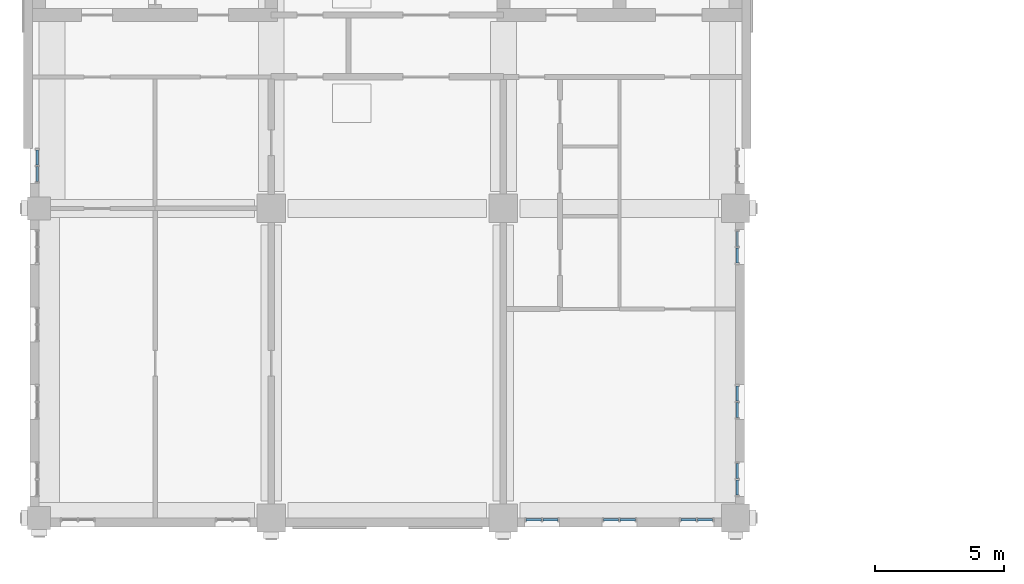
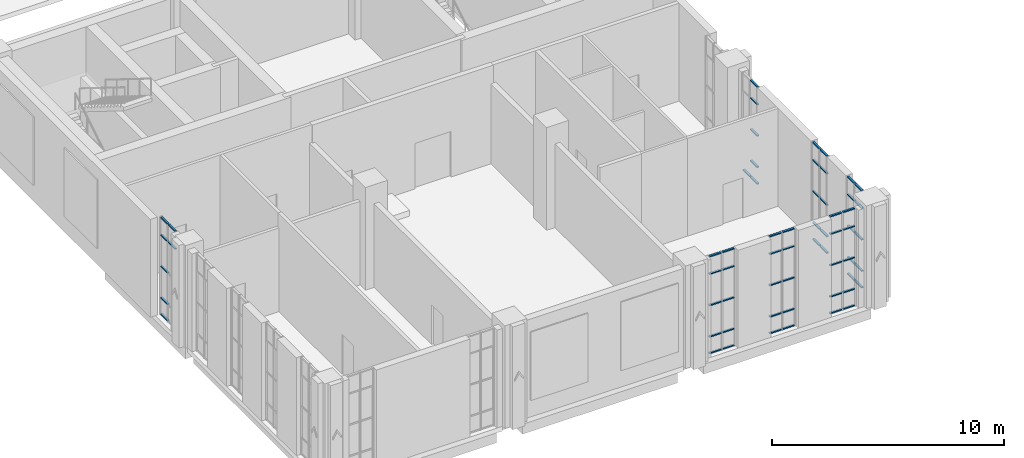
# One storey, part 11 of 33: 63 members, 7 elements without a shape of their own.
"""IFC4 building model written with IfcOpenShell, lengths in metres."""

from ifc_helpers import new_model, si_unit, direction, frame, origin, origin_2d, place, context, subcontext, project, spatial, rectangle, extrude, material, layer, layer_set, material_profile, profile_set, type_object, element, aggregate, save


model = new_model("IFC4")

# Units and contexts
model_context = context("Model", 3, precision=1e-05, world=origin(), true_north=direction((0.0, 1.0)))
body_context = subcontext(model_context, "Body", "Model", "MODEL_VIEW")
ifc_project = project(units=[si_unit("LENGTHUNIT", "METRE"), si_unit("AREAUNIT", "SQUARE_METRE"), si_unit("VOLUMEUNIT", "CUBIC_METRE"), si_unit("PLANEANGLEUNIT", "RADIAN"), si_unit("MASSUNIT", "GRAM", prefix="KILO")], contexts=[model_context])

# Site, building, storey
site_placement = place(None, origin())
site = spatial("IfcSite", under=ifc_project, at=site_placement, CompositionType="ELEMENT")
building_placement = place(site_placement, origin())
building = spatial("IfcBuilding", under=site, at=building_placement, Name="Aurelan Courthouse", CompositionType="ELEMENT")
storey_placement = place(building_placement, frame((0.0, 0.0, 22.800048828125)))
storey = spatial("IfcBuildingStorey", under=building, at=storey_placement, Name="L04", CompositionType="ELEMENT", Elevation=22.800048828125)

# Curtain wall, members
ifc_material_1 = material(Name="Bronze-finished aluminium and glass", Category="aluminium")
ifc_layer = layer(ifc_material_1, 0.14990234375)
ifc_layer_set = layer_set([ifc_layer], Name="Bronze-finished aluminium and glass")
curtain_wall_type = type_object("IfcCurtainWallType", Name="Curtain wall 1350 x 5150", PredefinedType="NOTDEFINED", material=ifc_layer_set)
curtain_wall_1_placement = place(storey_placement, origin())
curtain_wall_1 = element("IfcCurtainWall", 1, at=curtain_wall_1_placement, inside=storey, type_object=curtain_wall_type, Name="Curtain wall CW-V5-L04-S03", PredefinedType="NOTDEFINED")
ifc_material_2 = material(Name="Bronze-finished aluminium", Category="aluminium")
ifc_material_profile = material_profile(ifc_material_2, rectangle(XDim=0.10009765625, YDim=0.06005859375, at=origin_2d()), Name="Bronze transom 60 x 100")
ifc_profile_set = profile_set([ifc_material_profile], Name="Bronze-finished aluminium")
member_type = type_object("IfcMemberType", Name="Curtain wall transom 60 x 100", PredefinedType="USERDEFINED", material=ifc_profile_set)
member_1_placement = place(storey_placement, frame((18.885009765625, -0.074951171875, 0.030029296875), z_axis=(1.0, 0.0, 0.0), x_axis=(0.0, 1.0, 0.0)))
member_1 = element("IfcMember", 2, at=member_1_placement, type_object=member_type, Name="CW-V5-L04-S03 transom 1.1", ObjectType="TRANSOM", PredefinedType="USERDEFINED", context=body_context, shape_type="SweptSolid", body=[
    extrude(rectangle(XDim=0.10009765625, YDim=0.06005859375, at=origin_2d()), origin(), (0.0, 0.0, 1.0), 0.5849609375),
])
member_2_placement = place(storey_placement, frame((18.885009765625, -0.074951171875, 0.89990234375), z_axis=(1.0, 0.0, 0.0), x_axis=(0.0, 1.0, 0.0)))
member_2 = element("IfcMember", 3, at=member_2_placement, type_object=member_type, Name="CW-V5-L04-S03 transom 1.2", ObjectType="TRANSOM", PredefinedType="USERDEFINED", context=body_context, shape_type="SweptSolid", body=[
    extrude(rectangle(XDim=0.10009765625, YDim=0.06005859375, at=origin_2d()), origin(), (0.0, 0.0, 1.0), 0.5849609375),
])
member_3_placement = place(storey_placement, frame((18.885009765625, -0.074951171875, 2.550048828125), z_axis=(1.0, 0.0, 0.0), x_axis=(0.0, 1.0, 0.0)))
member_3 = element("IfcMember", 4, at=member_3_placement, type_object=member_type, Name="CW-V5-L04-S03 transom 1.3", ObjectType="TRANSOM", PredefinedType="USERDEFINED", context=body_context, shape_type="SweptSolid", body=[
    extrude(rectangle(XDim=0.10009765625, YDim=0.06005859375, at=origin_2d()), origin(), (0.0, 0.0, 1.0), 0.5849609375),
])
member_4_placement = place(storey_placement, frame((18.885009765625, -0.074951171875, 4.199951171875), z_axis=(1.0, 0.0, 0.0), x_axis=(0.0, 1.0, 0.0)))
member_4 = element("IfcMember", 5, at=member_4_placement, type_object=member_type, Name="CW-V5-L04-S03 transom 1.4", ObjectType="TRANSOM", PredefinedType="USERDEFINED", context=body_context, shape_type="SweptSolid", body=[
    extrude(rectangle(XDim=0.10009765625, YDim=0.06005859375, at=origin_2d()), origin(), (0.0, 0.0, 1.0), 0.5849609375),
])
member_5_placement = place(storey_placement, frame((18.885009765625, -0.074951171875, 5.119873046875), z_axis=(1.0, 0.0, 0.0), x_axis=(0.0, 1.0, 0.0)))
member_5 = element("IfcMember", 6, at=member_5_placement, type_object=member_type, Name="CW-V5-L04-S03 transom 1.5", ObjectType="TRANSOM", PredefinedType="USERDEFINED", context=body_context, shape_type="SweptSolid", body=[
    extrude(rectangle(XDim=0.10009765625, YDim=0.06005859375, at=origin_2d()), origin(), (0.0, 0.0, 1.0), 0.5849609375),
])
member_6_placement = place(storey_placement, frame((19.530029296875, -0.074951171875, 0.030029296875), z_axis=(1.0, 0.0, 0.0), x_axis=(0.0, 1.0, 0.0)))
member_6 = element("IfcMember", 7, at=member_6_placement, type_object=member_type, Name="CW-V5-L04-S03 transom 2.1", ObjectType="TRANSOM", PredefinedType="USERDEFINED", context=body_context, shape_type="SweptSolid", body=[
    extrude(rectangle(XDim=0.10009765625, YDim=0.06005859375, at=origin_2d()), origin(), (0.0, 0.0, 1.0), 0.5849609375),
])
member_7_placement = place(storey_placement, frame((19.530029296875, -0.074951171875, 0.89990234375), z_axis=(1.0, 0.0, 0.0), x_axis=(0.0, 1.0, 0.0)))
member_7 = element("IfcMember", 8, at=member_7_placement, type_object=member_type, Name="CW-V5-L04-S03 transom 2.2", ObjectType="TRANSOM", PredefinedType="USERDEFINED", context=body_context, shape_type="SweptSolid", body=[
    extrude(rectangle(XDim=0.10009765625, YDim=0.06005859375, at=origin_2d()), origin(), (0.0, 0.0, 1.0), 0.5849609375),
])
member_8_placement = place(storey_placement, frame((19.530029296875, -0.074951171875, 2.550048828125), z_axis=(1.0, 0.0, 0.0), x_axis=(0.0, 1.0, 0.0)))
member_8 = element("IfcMember", 9, at=member_8_placement, type_object=member_type, Name="CW-V5-L04-S03 transom 2.3", ObjectType="TRANSOM", PredefinedType="USERDEFINED", context=body_context, shape_type="SweptSolid", body=[
    extrude(rectangle(XDim=0.10009765625, YDim=0.06005859375, at=origin_2d()), origin(), (0.0, 0.0, 1.0), 0.5849609375),
])
member_9_placement = place(storey_placement, frame((19.530029296875, -0.074951171875, 4.199951171875), z_axis=(1.0, 0.0, 0.0), x_axis=(0.0, 1.0, 0.0)))
member_9 = element("IfcMember", 10, at=member_9_placement, type_object=member_type, Name="CW-V5-L04-S03 transom 2.4", ObjectType="TRANSOM", PredefinedType="USERDEFINED", context=body_context, shape_type="SweptSolid", body=[
    extrude(rectangle(XDim=0.10009765625, YDim=0.06005859375, at=origin_2d()), origin(), (0.0, 0.0, 1.0), 0.5849609375),
])
member_10_placement = place(storey_placement, frame((19.530029296875, -0.074951171875, 5.119873046875), z_axis=(1.0, 0.0, 0.0), x_axis=(0.0, 1.0, 0.0)))
member_10 = element("IfcMember", 11, at=member_10_placement, type_object=member_type, Name="CW-V5-L04-S03 transom 2.5", ObjectType="TRANSOM", PredefinedType="USERDEFINED", context=body_context, shape_type="SweptSolid", body=[
    extrude(rectangle(XDim=0.10009765625, YDim=0.06005859375, at=origin_2d()), origin(), (0.0, 0.0, 1.0), 0.5849609375),
])
aggregate(curtain_wall_1, [member_1, member_2, member_3, member_4, member_5, member_6, member_7, member_8, member_9, member_10])

curtain_wall_2_placement = place(storey_placement, origin())
curtain_wall_2 = element("IfcCurtainWall", 12, at=curtain_wall_2_placement, inside=storey, type_object=curtain_wall_type, Name="Curtain wall CW-V5-L04-S04", PredefinedType="NOTDEFINED")
member_11_placement = place(storey_placement, frame((21.885009765625, -0.074951171875, 0.030029296875), z_axis=(1.0, 0.0, 0.0), x_axis=(0.0, 1.0, 0.0)))
member_11 = element("IfcMember", 13, at=member_11_placement, type_object=member_type, Name="CW-V5-L04-S04 transom 1.1", ObjectType="TRANSOM", PredefinedType="USERDEFINED", context=body_context, shape_type="SweptSolid", body=[
    extrude(rectangle(XDim=0.10009765625, YDim=0.06005859375, at=origin_2d()), origin(), (0.0, 0.0, 1.0), 0.5849609375),
])
member_12_placement = place(storey_placement, frame((21.885009765625, -0.074951171875, 0.89990234375), z_axis=(1.0, 0.0, 0.0), x_axis=(0.0, 1.0, 0.0)))
member_12 = element("IfcMember", 14, at=member_12_placement, type_object=member_type, Name="CW-V5-L04-S04 transom 1.2", ObjectType="TRANSOM", PredefinedType="USERDEFINED", context=body_context, shape_type="SweptSolid", body=[
    extrude(rectangle(XDim=0.10009765625, YDim=0.06005859375, at=origin_2d()), origin(), (0.0, 0.0, 1.0), 0.5849609375),
])
member_13_placement = place(storey_placement, frame((21.885009765625, -0.074951171875, 2.550048828125), z_axis=(1.0, 0.0, 0.0), x_axis=(0.0, 1.0, 0.0)))
member_13 = element("IfcMember", 15, at=member_13_placement, type_object=member_type, Name="CW-V5-L04-S04 transom 1.3", ObjectType="TRANSOM", PredefinedType="USERDEFINED", context=body_context, shape_type="SweptSolid", body=[
    extrude(rectangle(XDim=0.10009765625, YDim=0.06005859375, at=origin_2d()), origin(), (0.0, 0.0, 1.0), 0.5849609375),
])
member_14_placement = place(storey_placement, frame((21.885009765625, -0.074951171875, 4.199951171875), z_axis=(1.0, 0.0, 0.0), x_axis=(0.0, 1.0, 0.0)))
member_14 = element("IfcMember", 16, at=member_14_placement, type_object=member_type, Name="CW-V5-L04-S04 transom 1.4", ObjectType="TRANSOM", PredefinedType="USERDEFINED", context=body_context, shape_type="SweptSolid", body=[
    extrude(rectangle(XDim=0.10009765625, YDim=0.06005859375, at=origin_2d()), origin(), (0.0, 0.0, 1.0), 0.5849609375),
])
member_15_placement = place(storey_placement, frame((21.885009765625, -0.074951171875, 5.119873046875), z_axis=(1.0, 0.0, 0.0), x_axis=(0.0, 1.0, 0.0)))
member_15 = element("IfcMember", 17, at=member_15_placement, type_object=member_type, Name="CW-V5-L04-S04 transom 1.5", ObjectType="TRANSOM", PredefinedType="USERDEFINED", context=body_context, shape_type="SweptSolid", body=[
    extrude(rectangle(XDim=0.10009765625, YDim=0.06005859375, at=origin_2d()), origin(), (0.0, 0.0, 1.0), 0.5849609375),
])
member_16_placement = place(storey_placement, frame((22.530029296875, -0.074951171875, 0.030029296875), z_axis=(1.0, 0.0, 0.0), x_axis=(0.0, 1.0, 0.0)))
member_16 = element("IfcMember", 18, at=member_16_placement, type_object=member_type, Name="CW-V5-L04-S04 transom 2.1", ObjectType="TRANSOM", PredefinedType="USERDEFINED", context=body_context, shape_type="SweptSolid", body=[
    extrude(rectangle(XDim=0.10009765625, YDim=0.06005859375, at=origin_2d()), origin(), (0.0, 0.0, 1.0), 0.5849609375),
])
member_17_placement = place(storey_placement, frame((22.530029296875, -0.074951171875, 0.89990234375), z_axis=(1.0, 0.0, 0.0), x_axis=(0.0, 1.0, 0.0)))
member_17 = element("IfcMember", 19, at=member_17_placement, type_object=member_type, Name="CW-V5-L04-S04 transom 2.2", ObjectType="TRANSOM", PredefinedType="USERDEFINED", context=body_context, shape_type="SweptSolid", body=[
    extrude(rectangle(XDim=0.10009765625, YDim=0.06005859375, at=origin_2d()), origin(), (0.0, 0.0, 1.0), 0.5849609375),
])
member_18_placement = place(storey_placement, frame((22.530029296875, -0.074951171875, 2.550048828125), z_axis=(1.0, 0.0, 0.0), x_axis=(0.0, 1.0, 0.0)))
member_18 = element("IfcMember", 20, at=member_18_placement, type_object=member_type, Name="CW-V5-L04-S04 transom 2.3", ObjectType="TRANSOM", PredefinedType="USERDEFINED", context=body_context, shape_type="SweptSolid", body=[
    extrude(rectangle(XDim=0.10009765625, YDim=0.06005859375, at=origin_2d()), origin(), (0.0, 0.0, 1.0), 0.5849609375),
])
member_19_placement = place(storey_placement, frame((22.530029296875, -0.074951171875, 4.199951171875), z_axis=(1.0, 0.0, 0.0), x_axis=(0.0, 1.0, 0.0)))
member_19 = element("IfcMember", 21, at=member_19_placement, type_object=member_type, Name="CW-V5-L04-S04 transom 2.4", ObjectType="TRANSOM", PredefinedType="USERDEFINED", context=body_context, shape_type="SweptSolid", body=[
    extrude(rectangle(XDim=0.10009765625, YDim=0.06005859375, at=origin_2d()), origin(), (0.0, 0.0, 1.0), 0.5849609375),
])
member_20_placement = place(storey_placement, frame((22.530029296875, -0.074951171875, 5.119873046875), z_axis=(1.0, 0.0, 0.0), x_axis=(0.0, 1.0, 0.0)))
member_20 = element("IfcMember", 22, at=member_20_placement, type_object=member_type, Name="CW-V5-L04-S04 transom 2.5", ObjectType="TRANSOM", PredefinedType="USERDEFINED", context=body_context, shape_type="SweptSolid", body=[
    extrude(rectangle(XDim=0.10009765625, YDim=0.06005859375, at=origin_2d()), origin(), (0.0, 0.0, 1.0), 0.5849609375),
])
aggregate(curtain_wall_2, [member_11, member_12, member_13, member_14, member_15, member_16, member_17, member_18, member_19, member_20])

curtain_wall_3_placement = place(storey_placement, origin())
curtain_wall_3 = element("IfcCurtainWall", 23, at=curtain_wall_3_placement, inside=storey, type_object=curtain_wall_type, Name="Curtain wall CW-V5-L04-S05", PredefinedType="NOTDEFINED")
member_21_placement = place(storey_placement, frame((24.885009765625, -0.074951171875, 0.030029296875), z_axis=(1.0, 0.0, 0.0), x_axis=(0.0, 1.0, 0.0)))
member_21 = element("IfcMember", 24, at=member_21_placement, type_object=member_type, Name="CW-V5-L04-S05 transom 1.1", ObjectType="TRANSOM", PredefinedType="USERDEFINED", context=body_context, shape_type="SweptSolid", body=[
    extrude(rectangle(XDim=0.10009765625, YDim=0.06005859375, at=origin_2d()), origin(), (0.0, 0.0, 1.0), 0.5849609375),
])
member_22_placement = place(storey_placement, frame((24.885009765625, -0.074951171875, 0.89990234375), z_axis=(1.0, 0.0, 0.0), x_axis=(0.0, 1.0, 0.0)))
member_22 = element("IfcMember", 25, at=member_22_placement, type_object=member_type, Name="CW-V5-L04-S05 transom 1.2", ObjectType="TRANSOM", PredefinedType="USERDEFINED", context=body_context, shape_type="SweptSolid", body=[
    extrude(rectangle(XDim=0.10009765625, YDim=0.06005859375, at=origin_2d()), origin(), (0.0, 0.0, 1.0), 0.5849609375),
])
member_23_placement = place(storey_placement, frame((24.885009765625, -0.074951171875, 2.550048828125), z_axis=(1.0, 0.0, 0.0), x_axis=(0.0, 1.0, 0.0)))
member_23 = element("IfcMember", 26, at=member_23_placement, type_object=member_type, Name="CW-V5-L04-S05 transom 1.3", ObjectType="TRANSOM", PredefinedType="USERDEFINED", context=body_context, shape_type="SweptSolid", body=[
    extrude(rectangle(XDim=0.10009765625, YDim=0.06005859375, at=origin_2d()), origin(), (0.0, 0.0, 1.0), 0.5849609375),
])
member_24_placement = place(storey_placement, frame((24.885009765625, -0.074951171875, 4.199951171875), z_axis=(1.0, 0.0, 0.0), x_axis=(0.0, 1.0, 0.0)))
member_24 = element("IfcMember", 27, at=member_24_placement, type_object=member_type, Name="CW-V5-L04-S05 transom 1.4", ObjectType="TRANSOM", PredefinedType="USERDEFINED", context=body_context, shape_type="SweptSolid", body=[
    extrude(rectangle(XDim=0.10009765625, YDim=0.06005859375, at=origin_2d()), origin(), (0.0, 0.0, 1.0), 0.5849609375),
])
member_25_placement = place(storey_placement, frame((24.885009765625, -0.074951171875, 5.119873046875), z_axis=(1.0, 0.0, 0.0), x_axis=(0.0, 1.0, 0.0)))
member_25 = element("IfcMember", 28, at=member_25_placement, type_object=member_type, Name="CW-V5-L04-S05 transom 1.5", ObjectType="TRANSOM", PredefinedType="USERDEFINED", context=body_context, shape_type="SweptSolid", body=[
    extrude(rectangle(XDim=0.10009765625, YDim=0.06005859375, at=origin_2d()), origin(), (0.0, 0.0, 1.0), 0.5849609375),
])
member_26_placement = place(storey_placement, frame((25.530029296875, -0.074951171875, 0.030029296875), z_axis=(1.0, 0.0, 0.0), x_axis=(0.0, 1.0, 0.0)))
member_26 = element("IfcMember", 29, at=member_26_placement, type_object=member_type, Name="CW-V5-L04-S05 transom 2.1", ObjectType="TRANSOM", PredefinedType="USERDEFINED", context=body_context, shape_type="SweptSolid", body=[
    extrude(rectangle(XDim=0.10009765625, YDim=0.06005859375, at=origin_2d()), origin(), (0.0, 0.0, 1.0), 0.5849609375),
])
member_27_placement = place(storey_placement, frame((25.530029296875, -0.074951171875, 0.89990234375), z_axis=(1.0, 0.0, 0.0), x_axis=(0.0, 1.0, 0.0)))
member_27 = element("IfcMember", 30, at=member_27_placement, type_object=member_type, Name="CW-V5-L04-S05 transom 2.2", ObjectType="TRANSOM", PredefinedType="USERDEFINED", context=body_context, shape_type="SweptSolid", body=[
    extrude(rectangle(XDim=0.10009765625, YDim=0.06005859375, at=origin_2d()), origin(), (0.0, 0.0, 1.0), 0.5849609375),
])
member_28_placement = place(storey_placement, frame((25.530029296875, -0.074951171875, 2.550048828125), z_axis=(1.0, 0.0, 0.0), x_axis=(0.0, 1.0, 0.0)))
member_28 = element("IfcMember", 31, at=member_28_placement, type_object=member_type, Name="CW-V5-L04-S05 transom 2.3", ObjectType="TRANSOM", PredefinedType="USERDEFINED", context=body_context, shape_type="SweptSolid", body=[
    extrude(rectangle(XDim=0.10009765625, YDim=0.06005859375, at=origin_2d()), origin(), (0.0, 0.0, 1.0), 0.5849609375),
])
member_29_placement = place(storey_placement, frame((25.530029296875, -0.074951171875, 4.199951171875), z_axis=(1.0, 0.0, 0.0), x_axis=(0.0, 1.0, 0.0)))
member_29 = element("IfcMember", 32, at=member_29_placement, type_object=member_type, Name="CW-V5-L04-S05 transom 2.4", ObjectType="TRANSOM", PredefinedType="USERDEFINED", context=body_context, shape_type="SweptSolid", body=[
    extrude(rectangle(XDim=0.10009765625, YDim=0.06005859375, at=origin_2d()), origin(), (0.0, 0.0, 1.0), 0.5849609375),
])
member_30_placement = place(storey_placement, frame((25.530029296875, -0.074951171875, 5.119873046875), z_axis=(1.0, 0.0, 0.0), x_axis=(0.0, 1.0, 0.0)))
member_30 = element("IfcMember", 33, at=member_30_placement, type_object=member_type, Name="CW-V5-L04-S05 transom 2.5", ObjectType="TRANSOM", PredefinedType="USERDEFINED", context=body_context, shape_type="SweptSolid", body=[
    extrude(rectangle(XDim=0.10009765625, YDim=0.06005859375, at=origin_2d()), origin(), (0.0, 0.0, 1.0), 0.5849609375),
])
aggregate(curtain_wall_3, [member_21, member_22, member_23, member_24, member_25, member_26, member_27, member_28, member_29, member_30])

curtain_wall_4_placement = place(storey_placement, origin())
curtain_wall_4 = element("IfcCurtainWall", 34, at=curtain_wall_4_placement, inside=storey, type_object=curtain_wall_type, Name="Curtain wall CW-V5-L04-E01", PredefinedType="NOTDEFINED")
member_31_placement = place(storey_placement, frame((27.074951171875, 0.885009765625, 0.030029296875), z_axis=(0.0, 1.0, 0.0), x_axis=(-1.0, 0.0, 0.0)))
member_31 = element("IfcMember", 35, at=member_31_placement, type_object=member_type, Name="CW-V5-L04-E01 transom 1.1", ObjectType="TRANSOM", PredefinedType="USERDEFINED", context=body_context, shape_type="SweptSolid", body=[
    extrude(rectangle(XDim=0.10009765625, YDim=0.06005859375, at=origin_2d()), origin(), (0.0, 0.0, 1.0), 0.5849609375),
])
member_32_placement = place(storey_placement, frame((27.074951171875, 0.885009765625, 0.89990234375), z_axis=(0.0, 1.0, 0.0), x_axis=(-1.0, 0.0, 0.0)))
member_32 = element("IfcMember", 36, at=member_32_placement, type_object=member_type, Name="CW-V5-L04-E01 transom 1.2", ObjectType="TRANSOM", PredefinedType="USERDEFINED", context=body_context, shape_type="SweptSolid", body=[
    extrude(rectangle(XDim=0.10009765625, YDim=0.06005859375, at=origin_2d()), origin(), (0.0, 0.0, 1.0), 0.5849609375),
])
member_33_placement = place(storey_placement, frame((27.074951171875, 0.885009765625, 2.550048828125), z_axis=(0.0, 1.0, 0.0), x_axis=(-1.0, 0.0, 0.0)))
member_33 = element("IfcMember", 37, at=member_33_placement, type_object=member_type, Name="CW-V5-L04-E01 transom 1.3", ObjectType="TRANSOM", PredefinedType="USERDEFINED", context=body_context, shape_type="SweptSolid", body=[
    extrude(rectangle(XDim=0.10009765625, YDim=0.06005859375, at=origin_2d()), origin(), (0.0, 0.0, 1.0), 0.5849609375),
])
member_34_placement = place(storey_placement, frame((27.074951171875, 0.885009765625, 4.199951171875), z_axis=(0.0, 1.0, 0.0), x_axis=(-1.0, 0.0, 0.0)))
member_34 = element("IfcMember", 38, at=member_34_placement, type_object=member_type, Name="CW-V5-L04-E01 transom 1.4", ObjectType="TRANSOM", PredefinedType="USERDEFINED", context=body_context, shape_type="SweptSolid", body=[
    extrude(rectangle(XDim=0.10009765625, YDim=0.06005859375, at=origin_2d()), origin(), (0.0, 0.0, 1.0), 0.5849609375),
])
member_35_placement = place(storey_placement, frame((27.074951171875, 0.885009765625, 5.119873046875), z_axis=(0.0, 1.0, 0.0), x_axis=(-1.0, 0.0, 0.0)))
member_35 = element("IfcMember", 39, at=member_35_placement, type_object=member_type, Name="CW-V5-L04-E01 transom 1.5", ObjectType="TRANSOM", PredefinedType="USERDEFINED", context=body_context, shape_type="SweptSolid", body=[
    extrude(rectangle(XDim=0.10009765625, YDim=0.06005859375, at=origin_2d()), origin(), (0.0, 0.0, 1.0), 0.5849609375),
])
member_36_placement = place(storey_placement, frame((27.074951171875, 1.530029296875, 0.030029296875), z_axis=(0.0, 1.0, 0.0), x_axis=(-1.0, 0.0, 0.0)))
member_36 = element("IfcMember", 40, at=member_36_placement, type_object=member_type, Name="CW-V5-L04-E01 transom 2.1", ObjectType="TRANSOM", PredefinedType="USERDEFINED", context=body_context, shape_type="SweptSolid", body=[
    extrude(rectangle(XDim=0.10009765625, YDim=0.06005859375, at=origin_2d()), origin(), (0.0, 0.0, 1.0), 0.5849609375),
])
member_37_placement = place(storey_placement, frame((27.074951171875, 1.530029296875, 0.89990234375), z_axis=(0.0, 1.0, 0.0), x_axis=(-1.0, 0.0, 0.0)))
member_37 = element("IfcMember", 41, at=member_37_placement, type_object=member_type, Name="CW-V5-L04-E01 transom 2.2", ObjectType="TRANSOM", PredefinedType="USERDEFINED", context=body_context, shape_type="SweptSolid", body=[
    extrude(rectangle(XDim=0.10009765625, YDim=0.06005859375, at=origin_2d()), origin(), (0.0, 0.0, 1.0), 0.5849609375),
])
member_38_placement = place(storey_placement, frame((27.074951171875, 1.530029296875, 2.550048828125), z_axis=(0.0, 1.0, 0.0), x_axis=(-1.0, 0.0, 0.0)))
member_38 = element("IfcMember", 42, at=member_38_placement, type_object=member_type, Name="CW-V5-L04-E01 transom 2.3", ObjectType="TRANSOM", PredefinedType="USERDEFINED", context=body_context, shape_type="SweptSolid", body=[
    extrude(rectangle(XDim=0.10009765625, YDim=0.06005859375, at=origin_2d()), origin(), (0.0, 0.0, 1.0), 0.5849609375),
])
member_39_placement = place(storey_placement, frame((27.074951171875, 1.530029296875, 4.199951171875), z_axis=(0.0, 1.0, 0.0), x_axis=(-1.0, 0.0, 0.0)))
member_39 = element("IfcMember", 43, at=member_39_placement, type_object=member_type, Name="CW-V5-L04-E01 transom 2.4", ObjectType="TRANSOM", PredefinedType="USERDEFINED", context=body_context, shape_type="SweptSolid", body=[
    extrude(rectangle(XDim=0.10009765625, YDim=0.06005859375, at=origin_2d()), origin(), (0.0, 0.0, 1.0), 0.5849609375),
])
member_40_placement = place(storey_placement, frame((27.074951171875, 1.530029296875, 5.119873046875), z_axis=(0.0, 1.0, 0.0), x_axis=(-1.0, 0.0, 0.0)))
member_40 = element("IfcMember", 44, at=member_40_placement, type_object=member_type, Name="CW-V5-L04-E01 transom 2.5", ObjectType="TRANSOM", PredefinedType="USERDEFINED", context=body_context, shape_type="SweptSolid", body=[
    extrude(rectangle(XDim=0.10009765625, YDim=0.06005859375, at=origin_2d()), origin(), (0.0, 0.0, 1.0), 0.5849609375),
])
aggregate(curtain_wall_4, [member_31, member_32, member_33, member_34, member_35, member_36, member_37, member_38, member_39, member_40])

curtain_wall_5_placement = place(storey_placement, origin())
curtain_wall_5 = element("IfcCurtainWall", 45, at=curtain_wall_5_placement, inside=storey, type_object=curtain_wall_type, Name="Curtain wall CW-V5-L04-E02", PredefinedType="NOTDEFINED")
member_41_placement = place(storey_placement, frame((27.074951171875, 3.885009765625, 0.030029296875), z_axis=(0.0, 1.0, 0.0), x_axis=(-1.0, 0.0, 0.0)))
member_41 = element("IfcMember", 46, at=member_41_placement, type_object=member_type, Name="CW-V5-L04-E02 transom 1.1", ObjectType="TRANSOM", PredefinedType="USERDEFINED", context=body_context, shape_type="SweptSolid", body=[
    extrude(rectangle(XDim=0.10009765625, YDim=0.06005859375, at=origin_2d()), origin(), (0.0, 0.0, 1.0), 0.5849609375),
])
member_42_placement = place(storey_placement, frame((27.074951171875, 3.885009765625, 0.89990234375), z_axis=(0.0, 1.0, 0.0), x_axis=(-1.0, 0.0, 0.0)))
member_42 = element("IfcMember", 47, at=member_42_placement, type_object=member_type, Name="CW-V5-L04-E02 transom 1.2", ObjectType="TRANSOM", PredefinedType="USERDEFINED", context=body_context, shape_type="SweptSolid", body=[
    extrude(rectangle(XDim=0.10009765625, YDim=0.06005859375, at=origin_2d()), origin(), (0.0, 0.0, 1.0), 0.5849609375),
])
member_43_placement = place(storey_placement, frame((27.074951171875, 3.885009765625, 2.550048828125), z_axis=(0.0, 1.0, 0.0), x_axis=(-1.0, 0.0, 0.0)))
member_43 = element("IfcMember", 48, at=member_43_placement, type_object=member_type, Name="CW-V5-L04-E02 transom 1.3", ObjectType="TRANSOM", PredefinedType="USERDEFINED", context=body_context, shape_type="SweptSolid", body=[
    extrude(rectangle(XDim=0.10009765625, YDim=0.06005859375, at=origin_2d()), origin(), (0.0, 0.0, 1.0), 0.5849609375),
])
member_44_placement = place(storey_placement, frame((27.074951171875, 3.885009765625, 4.199951171875), z_axis=(0.0, 1.0, 0.0), x_axis=(-1.0, 0.0, 0.0)))
member_44 = element("IfcMember", 49, at=member_44_placement, type_object=member_type, Name="CW-V5-L04-E02 transom 1.4", ObjectType="TRANSOM", PredefinedType="USERDEFINED", context=body_context, shape_type="SweptSolid", body=[
    extrude(rectangle(XDim=0.10009765625, YDim=0.06005859375, at=origin_2d()), origin(), (0.0, 0.0, 1.0), 0.5849609375),
])
member_45_placement = place(storey_placement, frame((27.074951171875, 3.885009765625, 5.119873046875), z_axis=(0.0, 1.0, 0.0), x_axis=(-1.0, 0.0, 0.0)))
member_45 = element("IfcMember", 50, at=member_45_placement, type_object=member_type, Name="CW-V5-L04-E02 transom 1.5", ObjectType="TRANSOM", PredefinedType="USERDEFINED", context=body_context, shape_type="SweptSolid", body=[
    extrude(rectangle(XDim=0.10009765625, YDim=0.06005859375, at=origin_2d()), origin(), (0.0, 0.0, 1.0), 0.5849609375),
])
member_46_placement = place(storey_placement, frame((27.074951171875, 4.530029296875, 0.030029296875), z_axis=(0.0, 1.0, 0.0), x_axis=(-1.0, 0.0, 0.0)))
member_46 = element("IfcMember", 51, at=member_46_placement, type_object=member_type, Name="CW-V5-L04-E02 transom 2.1", ObjectType="TRANSOM", PredefinedType="USERDEFINED", context=body_context, shape_type="SweptSolid", body=[
    extrude(rectangle(XDim=0.10009765625, YDim=0.06005859375, at=origin_2d()), origin(), (0.0, 0.0, 1.0), 0.5849609375),
])
member_47_placement = place(storey_placement, frame((27.074951171875, 4.530029296875, 0.89990234375), z_axis=(0.0, 1.0, 0.0), x_axis=(-1.0, 0.0, 0.0)))
member_47 = element("IfcMember", 52, at=member_47_placement, type_object=member_type, Name="CW-V5-L04-E02 transom 2.2", ObjectType="TRANSOM", PredefinedType="USERDEFINED", context=body_context, shape_type="SweptSolid", body=[
    extrude(rectangle(XDim=0.10009765625, YDim=0.06005859375, at=origin_2d()), origin(), (0.0, 0.0, 1.0), 0.5849609375),
])
member_48_placement = place(storey_placement, frame((27.074951171875, 4.530029296875, 2.550048828125), z_axis=(0.0, 1.0, 0.0), x_axis=(-1.0, 0.0, 0.0)))
member_48 = element("IfcMember", 53, at=member_48_placement, type_object=member_type, Name="CW-V5-L04-E02 transom 2.3", ObjectType="TRANSOM", PredefinedType="USERDEFINED", context=body_context, shape_type="SweptSolid", body=[
    extrude(rectangle(XDim=0.10009765625, YDim=0.06005859375, at=origin_2d()), origin(), (0.0, 0.0, 1.0), 0.5849609375),
])
member_49_placement = place(storey_placement, frame((27.074951171875, 4.530029296875, 4.199951171875), z_axis=(0.0, 1.0, 0.0), x_axis=(-1.0, 0.0, 0.0)))
member_49 = element("IfcMember", 54, at=member_49_placement, type_object=member_type, Name="CW-V5-L04-E02 transom 2.4", ObjectType="TRANSOM", PredefinedType="USERDEFINED", context=body_context, shape_type="SweptSolid", body=[
    extrude(rectangle(XDim=0.10009765625, YDim=0.06005859375, at=origin_2d()), origin(), (0.0, 0.0, 1.0), 0.5849609375),
])
member_50_placement = place(storey_placement, frame((27.074951171875, 4.530029296875, 5.119873046875), z_axis=(0.0, 1.0, 0.0), x_axis=(-1.0, 0.0, 0.0)))
member_50 = element("IfcMember", 55, at=member_50_placement, type_object=member_type, Name="CW-V5-L04-E02 transom 2.5", ObjectType="TRANSOM", PredefinedType="USERDEFINED", context=body_context, shape_type="SweptSolid", body=[
    extrude(rectangle(XDim=0.10009765625, YDim=0.06005859375, at=origin_2d()), origin(), (0.0, 0.0, 1.0), 0.5849609375),
])
aggregate(curtain_wall_5, [member_41, member_42, member_43, member_44, member_45, member_46, member_47, member_48, member_49, member_50])

curtain_wall_6_placement = place(storey_placement, origin())
curtain_wall_6 = element("IfcCurtainWall", 56, at=curtain_wall_6_placement, inside=storey, type_object=curtain_wall_type, Name="Curtain wall CW-V5-L04-E03", PredefinedType="NOTDEFINED")
member_51_placement = place(storey_placement, frame((27.074951171875, 9.885009765625, 0.030029296875), z_axis=(0.0, 1.0, 0.0), x_axis=(-1.0, 0.0, 0.0)))
member_51 = element("IfcMember", 57, at=member_51_placement, type_object=member_type, Name="CW-V5-L04-E03 transom 1.1", ObjectType="TRANSOM", PredefinedType="USERDEFINED", context=body_context, shape_type="SweptSolid", body=[
    extrude(rectangle(XDim=0.10009765625, YDim=0.06005859375, at=origin_2d()), origin(), (0.0, 0.0, 1.0), 0.5849609375),
])
member_52_placement = place(storey_placement, frame((27.074951171875, 9.885009765625, 0.89990234375), z_axis=(0.0, 1.0, 0.0), x_axis=(-1.0, 0.0, 0.0)))
member_52 = element("IfcMember", 58, at=member_52_placement, type_object=member_type, Name="CW-V5-L04-E03 transom 1.2", ObjectType="TRANSOM", PredefinedType="USERDEFINED", context=body_context, shape_type="SweptSolid", body=[
    extrude(rectangle(XDim=0.10009765625, YDim=0.06005859375, at=origin_2d()), origin(), (0.0, 0.0, 1.0), 0.5849609375),
])
member_53_placement = place(storey_placement, frame((27.074951171875, 9.885009765625, 2.550048828125), z_axis=(0.0, 1.0, 0.0), x_axis=(-1.0, 0.0, 0.0)))
member_53 = element("IfcMember", 59, at=member_53_placement, type_object=member_type, Name="CW-V5-L04-E03 transom 1.3", ObjectType="TRANSOM", PredefinedType="USERDEFINED", context=body_context, shape_type="SweptSolid", body=[
    extrude(rectangle(XDim=0.10009765625, YDim=0.06005859375, at=origin_2d()), origin(), (0.0, 0.0, 1.0), 0.5849609375),
])
member_54_placement = place(storey_placement, frame((27.074951171875, 9.885009765625, 4.199951171875), z_axis=(0.0, 1.0, 0.0), x_axis=(-1.0, 0.0, 0.0)))
member_54 = element("IfcMember", 60, at=member_54_placement, type_object=member_type, Name="CW-V5-L04-E03 transom 1.4", ObjectType="TRANSOM", PredefinedType="USERDEFINED", context=body_context, shape_type="SweptSolid", body=[
    extrude(rectangle(XDim=0.10009765625, YDim=0.06005859375, at=origin_2d()), origin(), (0.0, 0.0, 1.0), 0.5849609375),
])
member_55_placement = place(storey_placement, frame((27.074951171875, 9.885009765625, 5.119873046875), z_axis=(0.0, 1.0, 0.0), x_axis=(-1.0, 0.0, 0.0)))
member_55 = element("IfcMember", 61, at=member_55_placement, type_object=member_type, Name="CW-V5-L04-E03 transom 1.5", ObjectType="TRANSOM", PredefinedType="USERDEFINED", context=body_context, shape_type="SweptSolid", body=[
    extrude(rectangle(XDim=0.10009765625, YDim=0.06005859375, at=origin_2d()), origin(), (0.0, 0.0, 1.0), 0.5849609375),
])
member_56_placement = place(storey_placement, frame((27.074951171875, 10.530029296875, 0.030029296875), z_axis=(0.0, 1.0, 0.0), x_axis=(-1.0, 0.0, 0.0)))
member_56 = element("IfcMember", 62, at=member_56_placement, type_object=member_type, Name="CW-V5-L04-E03 transom 2.1", ObjectType="TRANSOM", PredefinedType="USERDEFINED", context=body_context, shape_type="SweptSolid", body=[
    extrude(rectangle(XDim=0.10009765625, YDim=0.06005859375, at=origin_2d()), origin(), (0.0, 0.0, 1.0), 0.5849609375),
])
aggregate(curtain_wall_6, [member_51, member_52, member_53, member_54, member_55, member_56])

curtain_wall_7_placement = place(storey_placement, origin())
curtain_wall_7 = element("IfcCurtainWall", 63, at=curtain_wall_7_placement, inside=storey, type_object=curtain_wall_type, Name="Curtain wall CW-V5-L04-W05", PredefinedType="NOTDEFINED")
member_57_placement = place(storey_placement, frame((-0.074951171875, 13.034912109375, 4.199951171875), z_axis=(0.0, 1.0, 0.0), x_axis=(-1.0, 0.0, 0.0)))
member_57 = element("IfcMember", 64, at=member_57_placement, type_object=member_type, Name="CW-V5-L04-W05 transom 1.4", ObjectType="TRANSOM", PredefinedType="USERDEFINED", context=body_context, shape_type="SweptSolid", body=[
    extrude(rectangle(XDim=0.10009765625, YDim=0.06005859375, at=origin_2d()), origin(), (0.0, 0.0, 1.0), 0.585205078125),
])
member_58_placement = place(storey_placement, frame((-0.074951171875, 13.034912109375, 5.119873046875), z_axis=(0.0, 1.0, 0.0), x_axis=(-1.0, 0.0, 0.0)))
member_58 = element("IfcMember", 65, at=member_58_placement, type_object=member_type, Name="CW-V5-L04-W05 transom 1.5", ObjectType="TRANSOM", PredefinedType="USERDEFINED", context=body_context, shape_type="SweptSolid", body=[
    extrude(rectangle(XDim=0.10009765625, YDim=0.06005859375, at=origin_2d()), origin(), (0.0, 0.0, 1.0), 0.585205078125),
])
member_59_placement = place(storey_placement, frame((-0.074951171875, 13.679931640625, 0.030029296875), z_axis=(0.0, 1.0, 0.0), x_axis=(-1.0, 0.0, 0.0)))
member_59 = element("IfcMember", 66, at=member_59_placement, type_object=member_type, Name="CW-V5-L04-W05 transom 2.1", ObjectType="TRANSOM", PredefinedType="USERDEFINED", context=body_context, shape_type="SweptSolid", body=[
    extrude(rectangle(XDim=0.10009765625, YDim=0.06005859375, at=origin_2d()), origin(), (0.0, 0.0, 1.0), 0.5849609375),
])
member_60_placement = place(storey_placement, frame((-0.074951171875, 13.679931640625, 0.89990234375), z_axis=(0.0, 1.0, 0.0), x_axis=(-1.0, 0.0, 0.0)))
member_60 = element("IfcMember", 67, at=member_60_placement, type_object=member_type, Name="CW-V5-L04-W05 transom 2.2", ObjectType="TRANSOM", PredefinedType="USERDEFINED", context=body_context, shape_type="SweptSolid", body=[
    extrude(rectangle(XDim=0.10009765625, YDim=0.06005859375, at=origin_2d()), origin(), (0.0, 0.0, 1.0), 0.5849609375),
])
member_61_placement = place(storey_placement, frame((-0.074951171875, 13.679931640625, 2.550048828125), z_axis=(0.0, 1.0, 0.0), x_axis=(-1.0, 0.0, 0.0)))
member_61 = element("IfcMember", 68, at=member_61_placement, type_object=member_type, Name="CW-V5-L04-W05 transom 2.3", ObjectType="TRANSOM", PredefinedType="USERDEFINED", context=body_context, shape_type="SweptSolid", body=[
    extrude(rectangle(XDim=0.10009765625, YDim=0.06005859375, at=origin_2d()), origin(), (0.0, 0.0, 1.0), 0.5849609375),
])
member_62_placement = place(storey_placement, frame((-0.074951171875, 13.679931640625, 4.199951171875), z_axis=(0.0, 1.0, 0.0), x_axis=(-1.0, 0.0, 0.0)))
member_62 = element("IfcMember", 69, at=member_62_placement, type_object=member_type, Name="CW-V5-L04-W05 transom 2.4", ObjectType="TRANSOM", PredefinedType="USERDEFINED", context=body_context, shape_type="SweptSolid", body=[
    extrude(rectangle(XDim=0.10009765625, YDim=0.06005859375, at=origin_2d()), origin(), (0.0, 0.0, 1.0), 0.5849609375),
])
member_63_placement = place(storey_placement, frame((-0.074951171875, 13.679931640625, 5.119873046875), z_axis=(0.0, 1.0, 0.0), x_axis=(-1.0, 0.0, 0.0)))
member_63 = element("IfcMember", 70, at=member_63_placement, type_object=member_type, Name="CW-V5-L04-W05 transom 2.5", ObjectType="TRANSOM", PredefinedType="USERDEFINED", context=body_context, shape_type="SweptSolid", body=[
    extrude(rectangle(XDim=0.10009765625, YDim=0.06005859375, at=origin_2d()), origin(), (0.0, 0.0, 1.0), 0.5849609375),
])
aggregate(curtain_wall_7, [member_57, member_58, member_59, member_60, member_61, member_62, member_63])

save(model, "model.ifc")
